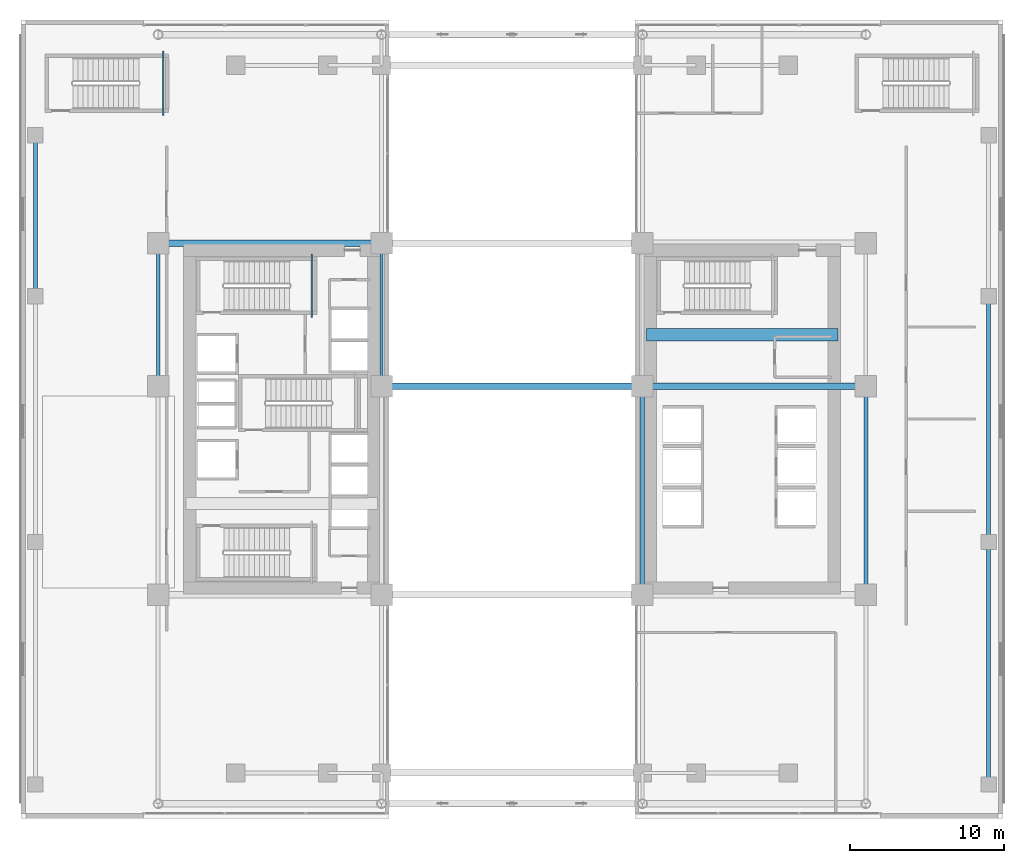
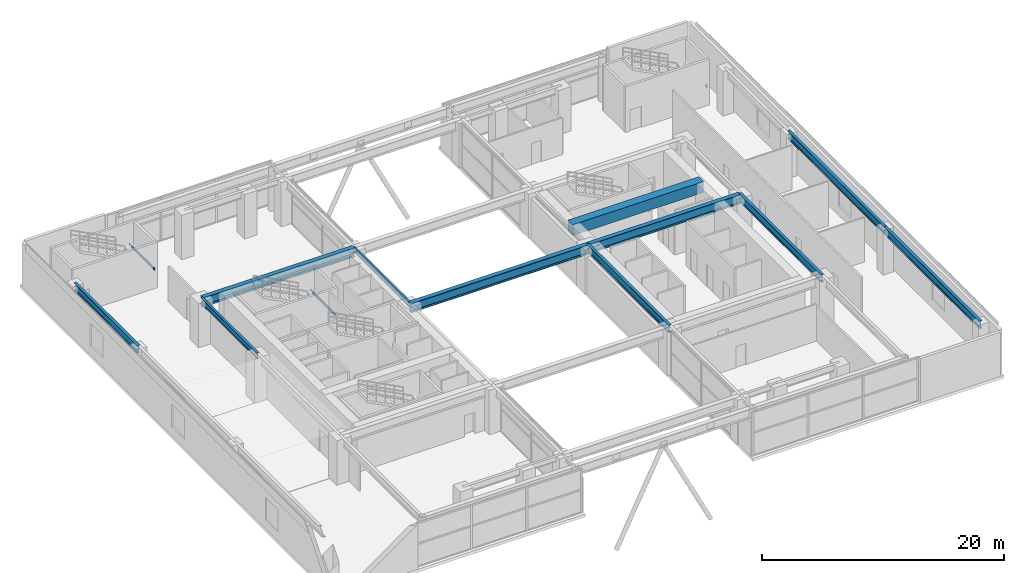
# One storey, part 13 of 30: 13 beams.
"""IFC4 building model written with IfcOpenShell, lengths in metres."""

from ifc_helpers import new_model, si_unit, direction, frame, origin, origin_2d, place, context, subcontext, project, spatial, rectangle, hollow_rectangle, i_section, extrude, source, transform, mapped, material, material_profile, profile_set, type_object, element, save


model = new_model("IFC4")

# Units and contexts
model_context = context("Model", 3, precision=1e-05, world=origin(), true_north=direction((0.0, 1.0)))
body_context = subcontext(model_context, "Body", "Model", "MODEL_VIEW")
ifc_project = project(units=[si_unit("LENGTHUNIT", "METRE"), si_unit("AREAUNIT", "SQUARE_METRE"), si_unit("VOLUMEUNIT", "CUBIC_METRE"), si_unit("PLANEANGLEUNIT", "RADIAN"), si_unit("MASSUNIT", "GRAM", prefix="KILO")], contexts=[model_context])

# Site, building, storey
site_placement = place(None, origin())
site = spatial("IfcSite", under=ifc_project, at=site_placement, CompositionType="ELEMENT")
building_placement = place(site_placement, origin())
building = spatial("IfcBuilding", under=site, at=building_placement, Name="Ocotamira Hotel", CompositionType="ELEMENT")
storey_placement = place(building_placement, frame((0.0, 0.0, 19.199951171875)))
storey = spatial("IfcBuildingStorey", under=building, at=storey_placement, Name="L04", CompositionType="ELEMENT", Elevation=19.199951171875)

# Beams
ifc_material_1 = material(Name="Concrete C60/75", Category="concrete")
ifc_material_profile_1 = material_profile(ifc_material_1, rectangle(XDim=0.800048828125, YDim=1.10009765625, at=origin_2d()), Name="RC800X1100")
ifc_profile_set_1 = profile_set([ifc_material_profile_1], Name="Concrete C60/75")
beam_type_1 = type_object("IfcBeamType", Name="BM-LINK-RC800", PredefinedType="LINTEL", material=ifc_profile_set_1)
shared_shape_1 = source(origin(), body_context, "Body", "SweptSolid", [
    extrude(rectangle(XDim=0.800048828125, YDim=1.10009765625, at=origin_2d()), origin(), (0.0, 0.0, 1.0), 12.5),
])
beam_1_placement = place(storey_placement, frame((40.75, 31.5, 3.929931640625), z_axis=(1.0, 0.0, 0.0), x_axis=(0.0, 1.0, 0.0)))
element("IfcBeam", 1, at=beam_1_placement, inside=storey, type_object=beam_type_1, Name="L04 East Core Coupling Beam", PredefinedType="LINTEL", context=body_context, shape_type="MappedRepresentation", body=[
    mapped(shared_shape_1, transform((0.0, 0.0, 0.0), scale=1.0)),
])
ifc_material_2 = material(Name="Steel ASTM A500 Grade C", Category="steel")
ifc_material_profile_2 = material_profile(ifc_material_2, hollow_rectangle(XDim=0.10009765625, YDim=0.199951171875, WallThickness=0.008056640625, at=origin_2d()), Name="HSS200X100X8")
ifc_profile_set_2 = profile_set([ifc_material_profile_2], Name="Steel ASTM A500 Grade C")
beam_type_2 = type_object("IfcBeamType", Name="BM-STLDG-HSS200", PredefinedType="BEAM", material=ifc_profile_set_2)
shared_shape_2 = source(origin(), body_context, "Body", "SweptSolid", [
    extrude(hollow_rectangle(XDim=0.10009765625, YDim=0.199951171875, WallThickness=0.008056640625, at=origin_2d()), origin(), (0.0, 0.0, 1.0), 4.1201171875),
])
beam_2_placement = place(storey_placement, frame((18.949951171875, 32.6298828125, 2.10009765625), z_axis=(0.0, 1.0, 0.0), x_axis=(-1.0, 0.0, 0.0)))
element("IfcBeam", 2, at=beam_2_placement, inside=storey, type_object=beam_type_2, Name="L04 Stair ST-2 Landing Bearer 1", PredefinedType="BEAM", context=body_context, shape_type="MappedRepresentation", body=[
    mapped(shared_shape_2, transform((0.0, 0.0, 0.0), scale=1.0)),
])
shared_shape_3 = source(origin(), body_context, "Body", "SweptSolid", [
    extrude(hollow_rectangle(XDim=0.10009765625, YDim=0.199951171875, WallThickness=0.008056640625, at=origin_2d()), origin(), (0.0, 0.0, 1.0), 4.199951171875),
])
beam_3_placement = place(storey_placement, frame((9.280029296875, 45.780029296875, 2.10009765625), z_axis=(0.0, 1.0, 0.0), x_axis=(-1.0, 0.0, 0.0)))
element("IfcBeam", 3, at=beam_3_placement, inside=storey, type_object=beam_type_2, Name="L04 Stair ST-5 Landing Bearer 1", PredefinedType="BEAM", context=body_context, shape_type="MappedRepresentation", body=[
    mapped(shared_shape_3, transform((0.0, 0.0, 0.0), scale=1.0)),
])
ifc_material_3 = material(Name="Steel ASTM A992 Grade 50", Category="steel")
ifc_material_profile_3 = material_profile(ifc_material_3, i_section(OverallWidth=0.41796875, OverallDepth=0.927001953125, WebThickness=0.019287109375, FlangeThickness=0.031982421875, FilletRadius=0.02392578125, at=origin_2d()), Name="W36X231")
ifc_profile_set_3 = profile_set([ifc_material_profile_3], Name="Steel ASTM A992 Grade 50")
beam_type_3 = type_object("IfcBeamType", Name="BM-GIRD-W36X231", PredefinedType="BEAM", material=ifc_profile_set_3)
shared_shape_4 = source(origin(), body_context, "Body", "SweptSolid", [
    extrude(i_section(OverallWidth=0.41796875, OverallDepth=0.927001953125, WebThickness=0.019287109375, FlangeThickness=0.031982421875, FilletRadius=0.02392578125, at=origin_2d()), origin(), (0.0, 0.0, 1.0), 14.550048828125),
])
for number, where, z_axis, x_axis, name in (
    (4, (40.5, 28.14990234375, 4.0166015625), (1.0, 0.0, 0.0), (0.0, 1.0, 0.0), "L04 Girder Y28.15 X40.5-55.05"),
    (5, (8.949951171875, 37.449951171875, 4.0166015625), (1.0, 0.0, 0.0), (0.0, 1.0, 0.0), "L04 Girder Y37.45 X8.95-23.5"),
):
    element("IfcBeam", number, at=place(storey_placement, frame(where, z_axis=z_axis, x_axis=x_axis)), inside=storey, type_object=beam_type_3, Name=name, PredefinedType="BEAM", context=body_context, shape_type="MappedRepresentation", body=[
        mapped(shared_shape_4, transform((0.0, 0.0, 0.0), scale=1.0)),
    ])
ifc_material_profile_4 = material_profile(ifc_material_3, i_section(OverallWidth=0.26611328125, OverallDepth=0.779052734375, WebThickness=0.0166015625, FlangeThickness=0.030029296875, FilletRadius=0.01806640625, at=origin_2d()), Name="W30X148")
ifc_profile_set_4 = profile_set([ifc_material_profile_4], Name="Steel ASTM A992 Grade 50")
beam_type_4 = type_object("IfcBeamType", Name="BM-GIRD-W30X148", PredefinedType="BEAM", material=ifc_profile_set_4)
shared_shape_5 = source(origin(), body_context, "Body", "SweptSolid", [
    extrude(i_section(OverallWidth=0.26611328125, OverallDepth=0.779052734375, WebThickness=0.0166015625, FlangeThickness=0.030029296875, FilletRadius=0.01806640625, at=origin_2d()), origin(), (0.0, 0.0, 1.0), 15.800048828125),
])
beam_4_placement = place(storey_placement, frame((63.050048828125, 2.199951171875, 4.090576171875), z_axis=(0.0, 1.0, 0.0), x_axis=(-1.0, 0.0, 0.0)))
element("IfcBeam", 6, at=beam_4_placement, inside=storey, type_object=beam_type_4, Name="L04 Beam X63.05 Y2.2-18", PredefinedType="BEAM", context=body_context, shape_type="MappedRepresentation", body=[
    mapped(shared_shape_5, transform((0.0, 0.0, 0.0), scale=1.0)),
])
shared_shape_6 = source(origin(), body_context, "Body", "SweptSolid", [
    extrude(i_section(OverallWidth=0.26611328125, OverallDepth=0.779052734375, WebThickness=0.0166015625, FlangeThickness=0.030029296875, FilletRadius=0.01806640625, at=origin_2d()), origin(), (0.0, 0.0, 1.0), 16.0),
])
beam_5_placement = place(storey_placement, frame((63.050048828125, 18.0, 4.090576171875), z_axis=(0.0, 1.0, 0.0), x_axis=(-1.0, 0.0, 0.0)))
element("IfcBeam", 7, at=beam_5_placement, inside=storey, type_object=beam_type_4, Name="L04 Beam X63.05 Y18-34", PredefinedType="BEAM", context=body_context, shape_type="MappedRepresentation", body=[
    mapped(shared_shape_6, transform((0.0, 0.0, 0.0), scale=1.0)),
])
shared_shape_7 = source(origin(), body_context, "Body", "SweptSolid", [
    extrude(i_section(OverallWidth=0.26611328125, OverallDepth=0.779052734375, WebThickness=0.0166015625, FlangeThickness=0.030029296875, FilletRadius=0.01806640625, at=origin_2d()), origin(), (0.0, 0.0, 1.0), 10.5),
])
beam_6_placement = place(storey_placement, frame((0.949951171875, 34.0, 4.090576171875), z_axis=(0.0, 1.0, 0.0), x_axis=(-1.0, 0.0, 0.0)))
element("IfcBeam", 8, at=beam_6_placement, inside=storey, type_object=beam_type_4, Name="L04 Beam X0.95 Y34-44.5", PredefinedType="BEAM", context=body_context, shape_type="MappedRepresentation", body=[
    mapped(shared_shape_7, transform((0.0, 0.0, 0.0), scale=1.0)),
])
shared_shape_8 = source(origin(), body_context, "Body", "SweptSolid", [
    extrude(i_section(OverallWidth=0.26611328125, OverallDepth=0.779052734375, WebThickness=0.0166015625, FlangeThickness=0.030029296875, FilletRadius=0.01806640625, at=origin_2d()), origin(), (0.0, 0.0, 1.0), 13.599853515625),
])
for number, where, z_axis, x_axis, name in (
    (9, (40.5, 14.550048828125, 4.090576171875), (0.0, 1.0, 0.0), (-1.0, 0.0, 0.0), "L04 Beam X40.5 Y14.55-28.15"),
    (10, (55.050048828125, 14.550048828125, 4.090576171875), (0.0, 1.0, 0.0), (-1.0, 0.0, 0.0), "L04 Beam X55.05 Y14.55-28.15"),
):
    element("IfcBeam", number, at=place(storey_placement, frame(where, z_axis=z_axis, x_axis=x_axis)), inside=storey, type_object=beam_type_4, Name=name, PredefinedType="BEAM", context=body_context, shape_type="MappedRepresentation", body=[
        mapped(shared_shape_8, transform((0.0, 0.0, 0.0), scale=1.0)),
    ])
ifc_material_profile_5 = material_profile(ifc_material_3, i_section(OverallWidth=0.22998046875, OverallDepth=0.616943359375, WebThickness=0.01318359375, FlangeThickness=0.022216796875, FilletRadius=0.012939453125, at=origin_2d()), Name="W24X94")
ifc_profile_set_5 = profile_set([ifc_material_profile_5], Name="Steel ASTM A992 Grade 50")
beam_type_5 = type_object("IfcBeamType", Name="BM-PRIM-W24X94", PredefinedType="BEAM", material=ifc_profile_set_5)
shared_shape_9 = source(origin(), body_context, "Body", "SweptSolid", [
    extrude(i_section(OverallWidth=0.22998046875, OverallDepth=0.616943359375, WebThickness=0.01318359375, FlangeThickness=0.022216796875, FilletRadius=0.012939453125, at=origin_2d()), origin(), (0.0, 0.0, 1.0), 9.300048828125),
])
beam_7_placement = place(storey_placement, frame((8.949951171875, 28.14990234375, 4.171630859375), z_axis=(0.0, 1.0, 0.0), x_axis=(-1.0, 0.0, 0.0)))
element("IfcBeam", 11, at=beam_7_placement, inside=storey, type_object=beam_type_5, Name="L04 Beam X8.95 Y28.15-37.45", PredefinedType="BEAM", context=body_context, shape_type="MappedRepresentation", body=[
    mapped(shared_shape_9, transform((0.0, 0.0, 0.0), scale=1.0)),
])
ifc_material_profile_6 = material_profile(ifc_material_3, i_section(OverallWidth=0.18994140625, OverallDepth=0.45703125, WebThickness=0.009033203125, FlangeThickness=0.014404296875, FilletRadius=0.010009765625, at=origin_2d()), Name="W18X50")
ifc_profile_set_6 = profile_set([ifc_material_profile_6], Name="Steel ASTM A992 Grade 50")
beam_type_6 = type_object("IfcBeamType", Name="BM-SEC-W18X50", PredefinedType="JOIST", material=ifc_profile_set_6)
shared_shape_10 = source(origin(), body_context, "Body", "SweptSolid", [
    extrude(i_section(OverallWidth=0.18994140625, OverallDepth=0.45703125, WebThickness=0.009033203125, FlangeThickness=0.014404296875, FilletRadius=0.010009765625, at=origin_2d()), origin(), (0.0, 0.0, 1.0), 9.300048828125),
])
beam_8_placement = place(storey_placement, frame((23.5, 28.14990234375, 4.25146484375), z_axis=(0.0, 1.0, 0.0), x_axis=(-1.0, 0.0, 0.0)))
element("IfcBeam", 12, at=beam_8_placement, inside=storey, type_object=beam_type_6, Name="L04 Beam X23.5 Y28.15-37.45", PredefinedType="JOIST", context=body_context, shape_type="MappedRepresentation", body=[
    mapped(shared_shape_10, transform((0.0, 0.0, 0.0), scale=1.0)),
])
ifc_material_4 = material(Name="Steel ASTM A913 Grade 65", Category="steel")
ifc_material_profile_7 = material_profile(ifc_material_4, i_section(OverallWidth=0.423095703125, OverallDepth=0.947998046875, WebThickness=0.02392578125, FlangeThickness=0.042724609375, FilletRadius=0.02392578125, at=origin_2d()), Name="W36X302")
ifc_profile_set_7 = profile_set([ifc_material_profile_7], Name="Steel ASTM A913 Grade 65")
beam_type_7 = type_object("IfcBeamType", Name="BM-TRUSS-W36X302", PredefinedType="BEAM", material=ifc_profile_set_7)
shared_shape_11 = source(origin(), body_context, "Body", "SweptSolid", [
    extrude(i_section(OverallWidth=0.423095703125, OverallDepth=0.947998046875, WebThickness=0.02392578125, FlangeThickness=0.042724609375, FilletRadius=0.02392578125, at=origin_2d()), origin(), (0.0, 0.0, 1.0), 17.0),
])
beam_9_placement = place(storey_placement, frame((23.5, 28.14990234375, 4.006103515625), z_axis=(1.0, 0.0, 0.0), x_axis=(0.0, 1.0, 0.0)))
element("IfcBeam", 13, at=beam_9_placement, inside=storey, type_object=beam_type_7, Name="L04 Girder Y28.15 X23.5-40.5", PredefinedType="BEAM", context=body_context, shape_type="MappedRepresentation", body=[
    mapped(shared_shape_11, transform((0.0, 0.0, 0.0), scale=1.0)),
])

save(model, "model.ifc")
